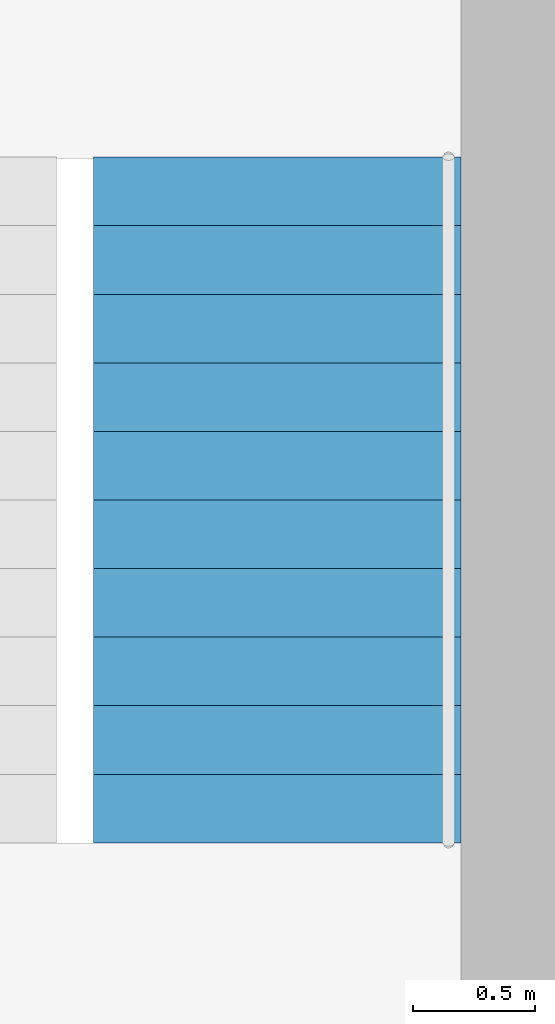
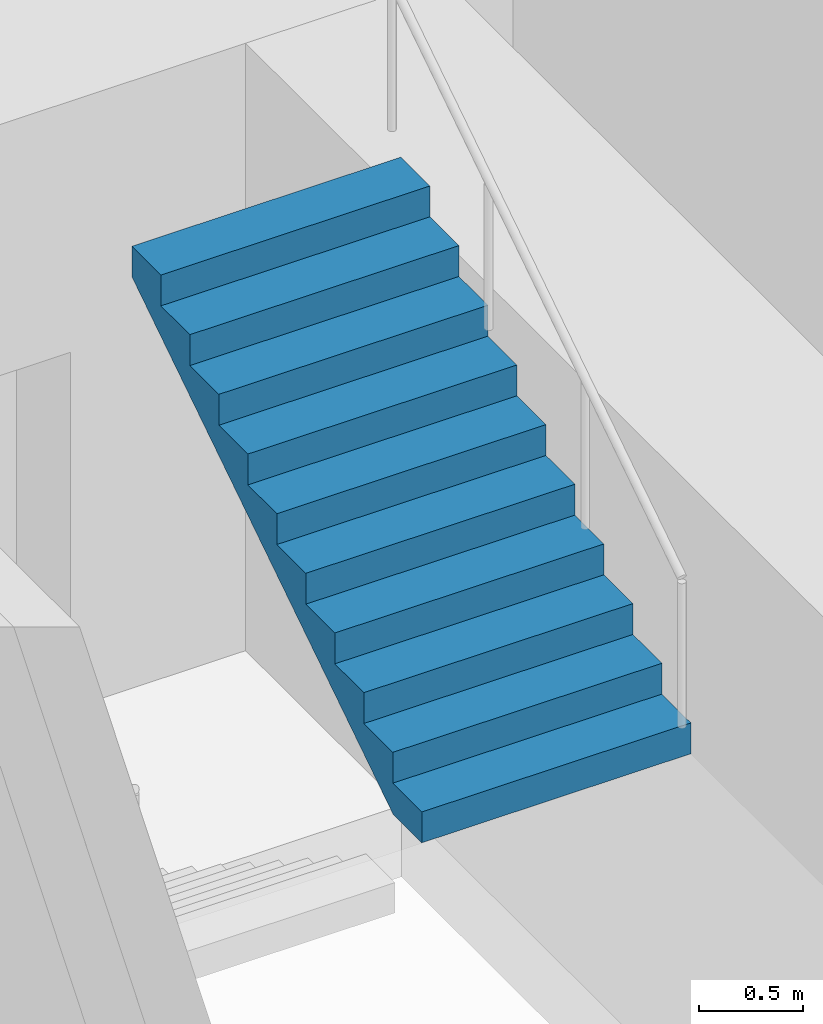
# One storey, part 11 of 13: 1 stair flight, 1 element without a shape of its own.
"""IFC4 building model written with IfcOpenShell, lengths in metres."""

from ifc_helpers import new_model, si_unit, direction, frame, origin, place, context, subcontext, project, spatial, polyline, outline, extrude, material, type_object, element, aggregate, save


model = new_model("IFC4")

# Units and contexts
model_context = context("Model", 3, precision=1e-05, world=origin(), true_north=direction((0.0, 1.0)))
body_context = subcontext(model_context, "Body", "Model", "MODEL_VIEW")
ifc_project = project(units=[si_unit("LENGTHUNIT", "METRE"), si_unit("AREAUNIT", "SQUARE_METRE"), si_unit("VOLUMEUNIT", "CUBIC_METRE"), si_unit("PLANEANGLEUNIT", "RADIAN"), si_unit("MASSUNIT", "GRAM", prefix="KILO")], contexts=[model_context])

# Site, building, storey
site_placement = place(None, origin())
site = spatial("IfcSite", under=ifc_project, at=site_placement, CompositionType="ELEMENT")
building_placement = place(site_placement, origin())
building = spatial("IfcBuilding", under=site, at=building_placement, Name="Dilmun Exchange Tower", CompositionType="ELEMENT")
storey_placement = place(building_placement, frame((0.0, 0.0, 86.10009765625)))
storey = spatial("IfcBuildingStorey", under=building, at=storey_placement, Name="L19", CompositionType="ELEMENT", Elevation=86.10009765625)

# Stair, stair flight
ifc_material = material(Name="Concrete C40/50", Category="concrete")
stair_type = type_object("IfcStairType", Name="Exit stair 1500 half-turn", PredefinedType="HALF_TURN_STAIR", material=ifc_material)
stair_placement = place(storey_placement, origin())
stair = element("IfcStair", 1, at=stair_placement, inside=storey, type_object=stair_type, Name="L19 Protected exit stair ST1", PredefinedType="HALF_TURN_STAIR")
stair_flight_type = type_object("IfcStairFlightType", Name="Exit stair flight 1500", PredefinedType="STRAIGHT", material=ifc_material)
stair_flight_placement = place(storey_placement, frame((11.050048828125, 7.5, 2.0), z_axis=(0.0, 0.0, 1.0), x_axis=(0.0, 1.0, 0.0)))
stair_flight = element("IfcStairFlight", 2, at=stair_flight_placement, type_object=stair_flight_type, Name="ST1 flight 2", NumberOfRisers=11, NumberOfTreads=10, PredefinedType="STRAIGHT", RiserHeight=0.181818182, TreadLength=0.28, context=body_context, shape_type="SweptSolid", body=[
    extrude(outline(polyline([(0.0, 0.0), (0.0, 0.181884765625), (0.280029296875, 0.181884765625), (0.280029296875, 0.363525390625), (0.56005859375, 0.363525390625), (0.56005859375, 0.54541015625), (0.840087890625, 0.54541015625), (0.840087890625, 0.727294921875), (1.1201171875, 0.727294921875), (1.1201171875, 0.9091796875), (1.39990234375, 0.9091796875), (1.39990234375, 1.0908203125), (1.679931640625, 1.0908203125), (1.679931640625, 1.272705078125), (1.9599609375, 1.272705078125), (1.9599609375, 1.45458984375), (2.239990234375, 1.45458984375), (2.239990234375, 1.636474609375), (2.52001953125, 1.636474609375), (2.52001953125, 1.818115234375), (2.800048828125, 1.818115234375), (2.800048828125, 2.0), (2.800048828125, 1.639404296875), (0.275146484375, 0.0), (0.0, 0.0)])), frame((0.0, 0.75, 0.0), z_axis=(0.0, -1.0, 0.0), x_axis=(1.0, 0.0, 0.0)), (0.0, 0.0, 1.0), 1.5),
])
aggregate(stair, [stair_flight])

save(model, "model.ifc")
